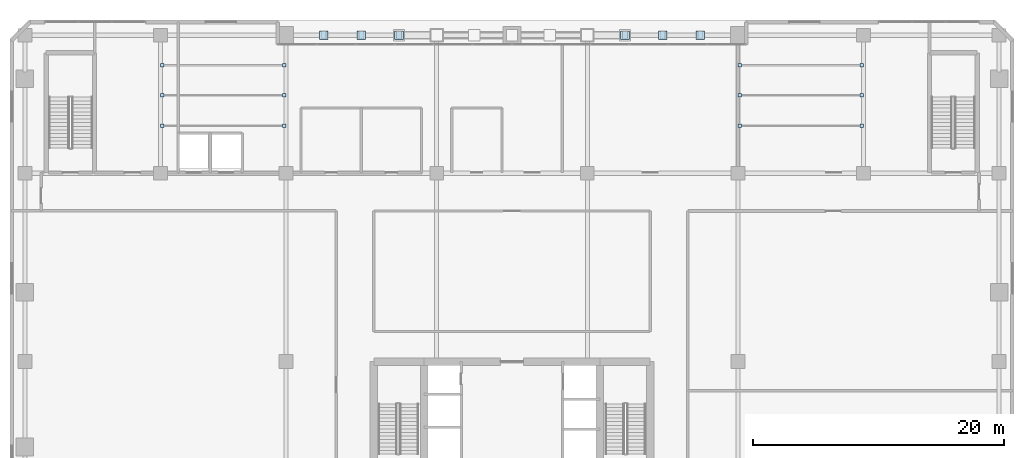
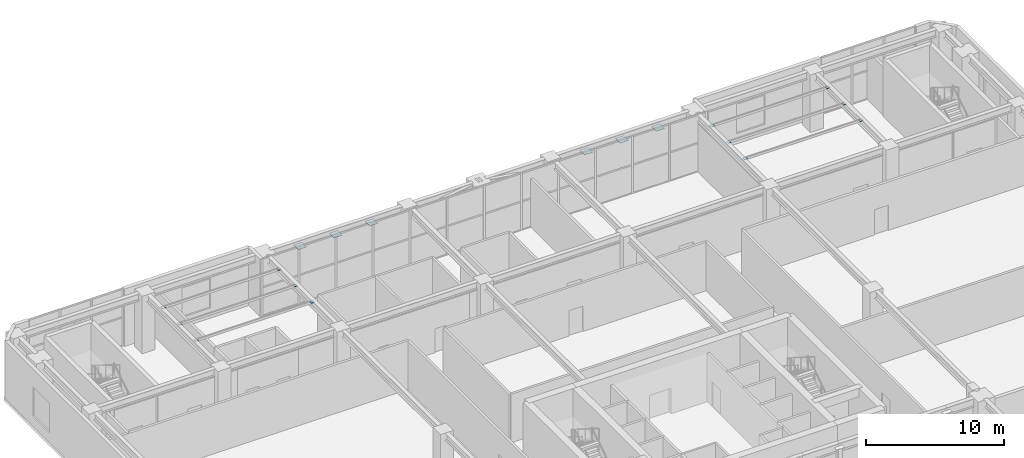
# One storey, part 24 of 32: 18 plates.
"""IFC4 building model written with IfcOpenShell, lengths in metres."""

from ifc_helpers import new_model, si_unit, direction, frame, origin, origin_2d, place, context, subcontext, project, spatial, rectangle, extrude, material, layer, layer_set, type_object, element, save


model = new_model("IFC4")

# Units and contexts
model_context = context("Model", 3, precision=1e-05, world=origin(), true_north=direction((0.0, 1.0)))
body_context = subcontext(model_context, "Body", "Model", "MODEL_VIEW")
ifc_project = project(units=[si_unit("LENGTHUNIT", "METRE"), si_unit("AREAUNIT", "SQUARE_METRE"), si_unit("VOLUMEUNIT", "CUBIC_METRE"), si_unit("PLANEANGLEUNIT", "RADIAN"), si_unit("MASSUNIT", "GRAM", prefix="KILO")], contexts=[model_context])

# Site, building, storey
site_placement = place(None, origin())
site = spatial("IfcSite", under=ifc_project, at=site_placement, CompositionType="ELEMENT")
building_placement = place(site_placement, origin())
building = spatial("IfcBuilding", under=site, at=building_placement, Name="Sarneth Arch Tower", CompositionType="ELEMENT")
storey_placement = place(building_placement, frame((0.0, 0.0, 11.39990234375)))
storey = spatial("IfcBuildingStorey", under=building, at=storey_placement, Name="L02", CompositionType="ELEMENT", Elevation=11.39990234375)

# Plates
ifc_material = material(Name="Steel S355", Category="steel")
ifc_layer = layer(ifc_material, 0.035888671875)
ifc_layer_set = layer_set([ifc_layer], Name="Steel S355")
plate_type = type_object("IfcPlateType", Name="PLT-GUSSET-30", PredefinedType="SHEET", material=ifc_layer_set)
for number, where, z_axis, x_axis, name in (
    (1, (20.14990234375, 67.60009765625, 4.98193359375), (0.0, 0.0, 1.0), (1.0, 0.0, 0.0), "Steel end cap plate GP-1"),
    (2, (29.85009765625, 67.60009765625, 4.98193359375), (0.0, 0.0, 1.0), (-1.0, 0.0, 0.0), "Steel end cap plate GP-1"),
    (3, (66.14990234375, 67.60009765625, 4.98193359375), (0.0, 0.0, 1.0), (1.0, 0.0, 0.0), "Steel end cap plate GP-1"),
    (4, (75.85009765625, 67.60009765625, 4.98193359375), (0.0, 0.0, 1.0), (-1.0, 0.0, 0.0), "Steel end cap plate GP-1"),
    (5, (20.14990234375, 70.0, 4.98193359375), (0.0, 0.0, 1.0), (1.0, 0.0, 0.0), "Steel end cap plate GP-1"),
    (6, (29.85009765625, 70.0, 4.98193359375), (0.0, 0.0, 1.0), (-1.0, 0.0, 0.0), "Steel end cap plate GP-1"),
    (7, (66.14990234375, 70.0, 4.98193359375), (0.0, 0.0, 1.0), (1.0, 0.0, 0.0), "Steel end cap plate GP-1"),
    (8, (75.85009765625, 70.0, 4.98193359375), (0.0, 0.0, 1.0), (-1.0, 0.0, 0.0), "Steel end cap plate GP-1"),
    (9, (20.14990234375, 72.39990234375, 4.98193359375), (0.0, 0.0, 1.0), (1.0, 0.0, 0.0), "Steel end cap plate GP-1"),
    (10, (29.85009765625, 72.39990234375, 4.98193359375), (0.0, 0.0, 1.0), (-1.0, 0.0, 0.0), "Steel end cap plate GP-1"),
    (11, (66.14990234375, 72.39990234375, 4.98193359375), (0.0, 0.0, 1.0), (1.0, 0.0, 0.0), "Steel end cap plate GP-1"),
    (12, (75.85009765625, 72.39990234375, 4.98193359375), (0.0, 0.0, 1.0), (-1.0, 0.0, 0.0), "Steel end cap plate GP-1"),
):
    element("IfcPlate", number, at=place(storey_placement, frame(where, z_axis=z_axis, x_axis=x_axis)), inside=storey, type_object=plate_type, Name=name, PredefinedType="SHEET", context=body_context, shape_type="SweptSolid", body=[
        extrude(rectangle(XDim=0.280029296875, YDim=0.280029296875, at=origin_2d()), origin(), (0.0, 0.0, 1.0), 0.035888671875),
    ])
for number, where, z_axis, x_axis, name in (
    (13, (33.0, 74.800048828125, 4.4619140625), (0.0, 0.0, 1.0), (1.0, 0.0, 0.0), "Steel end cap plate GP-1"),
    (14, (36.0, 74.800048828125, 4.4619140625), (0.0, 0.0, 1.0), (1.0, 0.0, 0.0), "Steel end cap plate GP-1"),
    (15, (39.0, 74.800048828125, 4.4619140625), (0.0, 0.0, 1.0), (1.0, 0.0, 0.0), "Steel end cap plate GP-1"),
    (16, (57.0, 74.800048828125, 4.4619140625), (0.0, 0.0, 1.0), (1.0, 0.0, 0.0), "Steel end cap plate GP-1"),
    (17, (60.0, 74.800048828125, 4.4619140625), (0.0, 0.0, 1.0), (1.0, 0.0, 0.0), "Steel end cap plate GP-1"),
    (18, (63.0, 74.800048828125, 4.4619140625), (0.0, 0.0, 1.0), (1.0, 0.0, 0.0), "Steel end cap plate GP-1"),
):
    element("IfcPlate", number, at=place(storey_placement, frame(where, z_axis=z_axis, x_axis=x_axis)), inside=storey, type_object=plate_type, Name=name, PredefinedType="SHEET", context=body_context, shape_type="SweptSolid", body=[
        extrude(rectangle(XDim=0.699951171875, YDim=0.699951171875, at=origin_2d()), origin(), (0.0, 0.0, 1.0), 0.035888671875),
    ])

save(model, "model.ifc")
